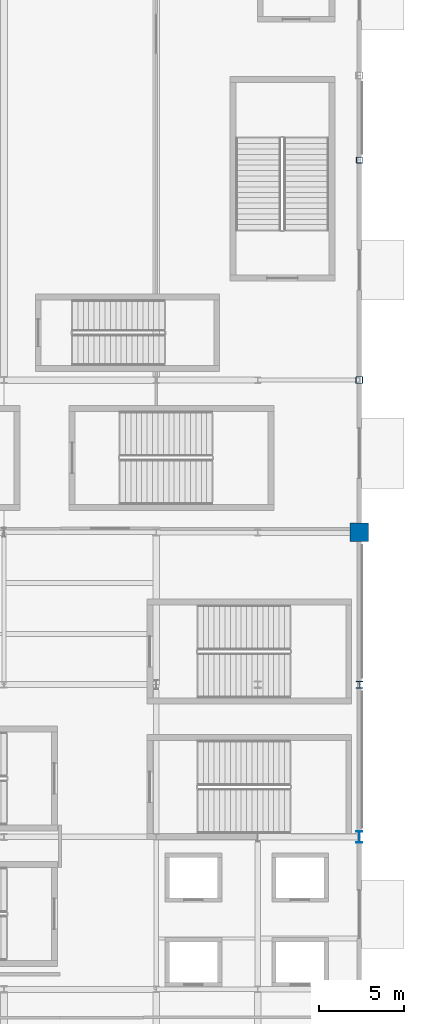
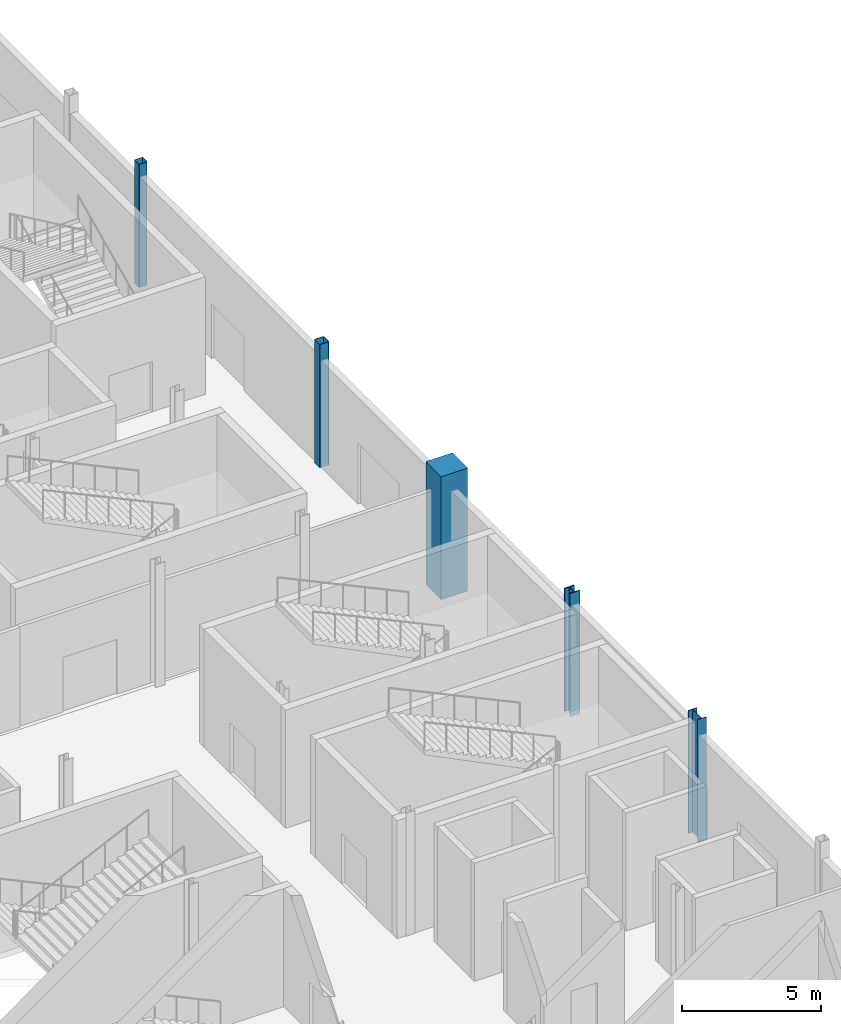
# One storey, part 22 of 94: 5 columns.
"""IFC4 building model written with IfcOpenShell, lengths in metres."""

from ifc_helpers import new_model, si_unit, direction, frame, origin, origin_2d, place, context, subcontext, project, spatial, rectangle, hollow_rectangle, i_section, extrude, material, material_profile, profile_set, type_object, element, save


model = new_model("IFC4")

# Units and contexts
model_context = context("Model", 3, precision=1e-05, world=origin(), true_north=direction((0.0, 1.0)))
body_context = subcontext(model_context, "Body", "Model", "MODEL_VIEW")
ifc_project = project(units=[si_unit("LENGTHUNIT", "METRE"), si_unit("AREAUNIT", "SQUARE_METRE"), si_unit("VOLUMEUNIT", "CUBIC_METRE"), si_unit("PLANEANGLEUNIT", "RADIAN"), si_unit("MASSUNIT", "GRAM", prefix="KILO")], contexts=[model_context])

# Site, building, storey
site_placement = place(None, origin())
site = spatial("IfcSite", under=ifc_project, at=site_placement, CompositionType="ELEMENT")
building_placement = place(site_placement, origin())
building = spatial("IfcBuilding", under=site, at=building_placement, Name="Qamarlyn Nura Convention Centre", CompositionType="ELEMENT")
storey_placement = place(building_placement, origin())
storey = spatial("IfcBuildingStorey", under=building, at=storey_placement, Name="L00", CompositionType="ELEMENT", Elevation=0.0)

# Columns
ifc_material_1 = material(Name="Steel ASTM A500 Grade C", Category="steel")
ifc_material_profile_1 = material_profile(ifc_material_1, hollow_rectangle(XDim=0.39990234375, YDim=0.39990234375, WallThickness=0.01611328125, InnerFilletRadius=0.01611328125, OuterFilletRadius=0.031982421875, at=origin_2d()), Name="HSS400X400X16")
ifc_profile_set_1 = profile_set([ifc_material_profile_1], Name="Steel ASTM A500 Grade C")
column_type_1 = type_object("IfcColumnType", Name="COL-HSS-1", PredefinedType="COLUMN", material=ifc_profile_set_1)
column_1_placement = place(storey_placement, frame((192.0, 90.0, 0.0), z_axis=(0.0, 0.0, 1.0), x_axis=(1.0, 0.0, 0.0)))
element("IfcColumn", 1, at=column_1_placement, inside=storey, type_object=column_type_1, Name="L00 column 18/L", PredefinedType="COLUMN", context=body_context, shape_type="SweptSolid", body=[
    extrude(hollow_rectangle(XDim=0.39990234375, YDim=0.39990234375, WallThickness=0.01611328125, InnerFilletRadius=0.01611328125, OuterFilletRadius=0.031982421875, at=origin_2d()), origin(), (0.0, 0.0, 1.0), 5.39990234375),
])
ifc_material_profile_2 = material_profile(ifc_material_1, hollow_rectangle(XDim=0.35009765625, YDim=0.35009765625, WallThickness=0.012451171875, InnerFilletRadius=0.012451171875, OuterFilletRadius=0.02490234375, at=origin_2d()), Name="HSS350X350X12.5")
ifc_profile_set_2 = profile_set([ifc_material_profile_2], Name="Steel ASTM A500 Grade C")
column_type_2 = type_object("IfcColumnType", Name="COL-HSS-2", PredefinedType="COLUMN", material=ifc_profile_set_2)
column_2_placement = place(storey_placement, frame((192.0, 103.0, 0.0), z_axis=(0.0, 0.0, 1.0), x_axis=(1.0, 0.0, 0.0)))
element("IfcColumn", 2, at=column_2_placement, inside=storey, type_object=column_type_2, Name="L00 column 18/M", PredefinedType="COLUMN", context=body_context, shape_type="SweptSolid", body=[
    extrude(hollow_rectangle(XDim=0.35009765625, YDim=0.35009765625, WallThickness=0.012451171875, InnerFilletRadius=0.012451171875, OuterFilletRadius=0.02490234375, at=origin_2d()), origin(), (0.0, 0.0, 1.0), 5.39990234375),
])
ifc_material_2 = material(Name="Steel ASTM A992", Category="steel")
ifc_material_profile_3 = material_profile(ifc_material_2, i_section(OverallWidth=0.408935546875, OverallDepth=0.425048828125, WebThickness=0.030517578125, FlangeThickness=0.049072265625, FilletRadius=0.02001953125, at=origin_2d()), Name="W360X421")
ifc_profile_set_3 = profile_set([ifc_material_profile_3], Name="Steel ASTM A992")
column_type_3 = type_object("IfcColumnType", Name="COL-MEGA-1", PredefinedType="COLUMN", material=ifc_profile_set_3)
column_3_placement = place(storey_placement, frame((192.0, 72.0, 0.0), z_axis=(0.0, 0.0, 1.0), x_axis=(1.0, 0.0, 0.0)))
element("IfcColumn", 3, at=column_3_placement, inside=storey, type_object=column_type_3, Name="L00 column 18/J", PredefinedType="COLUMN", context=body_context, shape_type="SweptSolid", body=[
    extrude(i_section(OverallWidth=0.408935546875, OverallDepth=0.425048828125, WebThickness=0.030517578125, FlangeThickness=0.049072265625, FilletRadius=0.02001953125, at=origin_2d()), origin(), (0.0, 0.0, 1.0), 5.39990234375),
])
ifc_material_3 = material(Name="Concrete C50/60", Category="concrete")
ifc_material_profile_4 = material_profile(ifc_material_3, rectangle(XDim=1.10009765625, YDim=1.10009765625, at=origin_2d()), Name="RC 1100x1100")
ifc_profile_set_4 = profile_set([ifc_material_profile_4], Name="Concrete C50/60")
column_type_4 = type_object("IfcColumnType", Name="COL-MEGA-2", PredefinedType="COLUMN", material=ifc_profile_set_4)
column_4_placement = place(storey_placement, frame((192.0, 81.0, 0.0), z_axis=(0.0, 0.0, 1.0), x_axis=(1.0, 0.0, 0.0)))
element("IfcColumn", 4, at=column_4_placement, inside=storey, type_object=column_type_4, Name="L00 column 18/K", PredefinedType="COLUMN", context=body_context, shape_type="SweptSolid", body=[
    extrude(rectangle(XDim=1.10009765625, YDim=1.10009765625, at=origin_2d()), origin(), (0.0, 0.0, 1.0), 5.39990234375),
])
ifc_material_profile_5 = material_profile(ifc_material_2, i_section(OverallWidth=0.35498046875, OverallDepth=0.695068359375, WebThickness=0.015380859375, FlangeThickness=0.02490234375, FilletRadius=0.01806640625, at=origin_2d()), Name="W690X217")
ifc_profile_set_5 = profile_set([ifc_material_profile_5], Name="Steel ASTM A992")
column_type_5 = type_object("IfcColumnType", Name="COL-WING-5", PredefinedType="COLUMN", material=ifc_profile_set_5)
column_5_placement = place(storey_placement, frame((192.0, 63.0, 0.0), z_axis=(0.0, 0.0, 1.0), x_axis=(1.0, 0.0, 0.0)))
element("IfcColumn", 5, at=column_5_placement, inside=storey, type_object=column_type_5, Name="L00 column 18/H", PredefinedType="COLUMN", context=body_context, shape_type="SweptSolid", body=[
    extrude(i_section(OverallWidth=0.35498046875, OverallDepth=0.695068359375, WebThickness=0.015380859375, FlangeThickness=0.02490234375, FilletRadius=0.01806640625, at=origin_2d()), origin(), (0.0, 0.0, 1.0), 5.39990234375),
])

save(model, "model.ifc")
